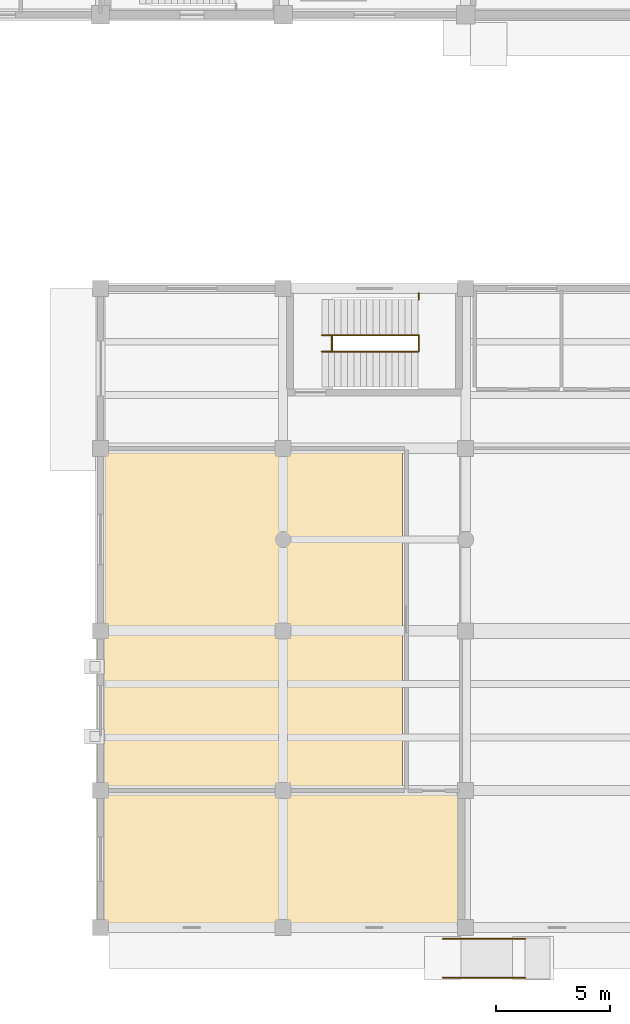
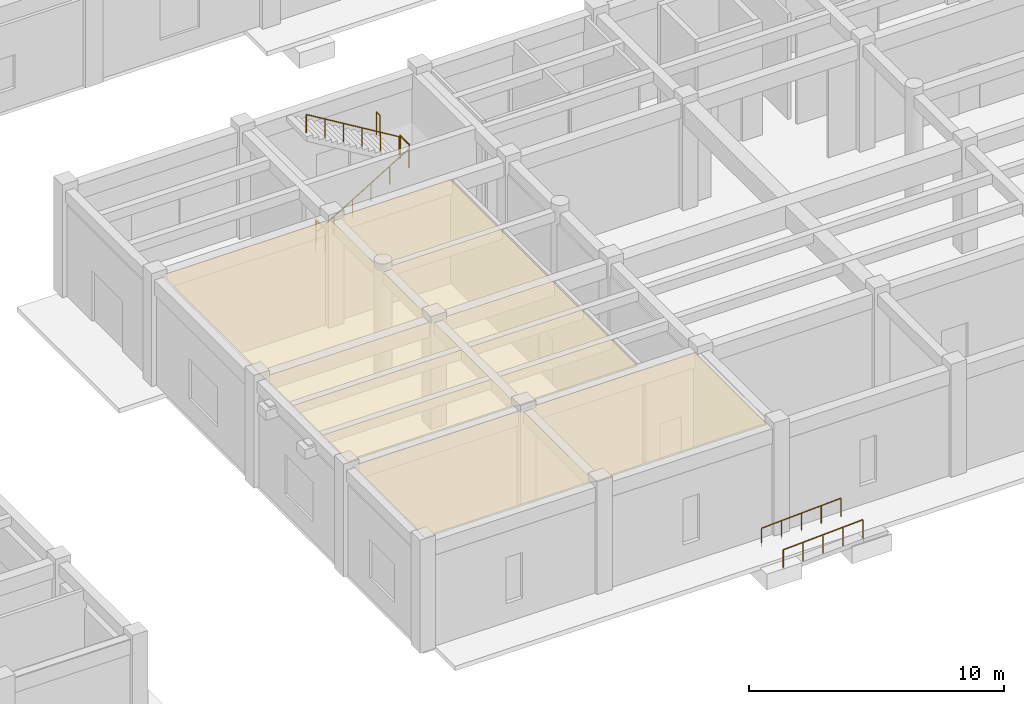
# One storey, part 36 of 40: 7 railings, 2 coverings.
"""IFC4 building model written with IfcOpenShell, lengths in metres."""

from ifc_helpers import new_model, si_unit, direction, frame, origin, origin_2d, place, context, subcontext, project, spatial, polyline, circle, outline, extrude, material, layer, layer_set, type_object, element, save


model = new_model("IFC4")

# Units and contexts
model_context = context("Model", 3, precision=1e-05, world=origin(), true_north=direction((0.0, 1.0)))
body_context = subcontext(model_context, "Body", "Model", "MODEL_VIEW")
ifc_project = project(units=[si_unit("LENGTHUNIT", "METRE"), si_unit("AREAUNIT", "SQUARE_METRE"), si_unit("VOLUMEUNIT", "CUBIC_METRE"), si_unit("PLANEANGLEUNIT", "RADIAN"), si_unit("MASSUNIT", "GRAM", prefix="KILO")], contexts=[model_context])

# Site, building, storey
site_placement = place(None, origin())
site = spatial("IfcSite", under=ifc_project, at=site_placement, CompositionType="ELEMENT")
building_placement = place(site_placement, origin())
building = spatial("IfcBuilding", under=site, at=building_placement, Name="Naurynzar Civic Courthouse", CompositionType="ELEMENT")
storey_placement = place(building_placement, origin())
storey = spatial("IfcBuildingStorey", under=building, at=storey_placement, Name="L01", CompositionType="ELEMENT", Elevation=0.0)

# Coverings
ifc_material_1 = material(Name="Mineral Fibre Acoustic Ceiling")
ifc_layer = layer(ifc_material_1, 0.030029296875)
ifc_layer_set = layer_set([ifc_layer], Name="CEIL-MINERAL-30")
covering_type = type_object("IfcCoveringType", Name="CEIL-MINERAL-30", PredefinedType="CEILING", material=ifc_layer_set)
covering_1_placement = place(storey_placement, frame((0.0, 0.0, 5.014892578125)))
element("IfcCovering", 1, at=covering_1_placement, inside=storey, type_object=covering_type, Name="Acoustic suspended ceiling Judicial Training Lecture Hall", PredefinedType="CEILING", context=body_context, shape_type="SweptSolid", body=[
    extrude(outline(polyline([(82.239990234375, 10.159912109375), (69.159912109375, 10.159912109375), (69.159912109375, 24.840087890625), (82.239990234375, 24.840087890625), (82.239990234375, 10.159912109375)])), origin(), (0.0, 0.0, 1.0), 0.030029296875),
])
covering_2_placement = place(storey_placement, frame((0.0, 0.0, 5.014892578125)))
element("IfcCovering", 2, at=covering_2_placement, inside=storey, type_object=covering_type, Name="Acoustic suspended ceiling Law Library Circulation Desk", PredefinedType="CEILING", context=body_context, shape_type="SweptSolid", body=[
    extrude(outline(polyline([(84.639892578125, 4.159912109375), (69.159912109375, 4.159912109375), (69.159912109375, 9.840087890625), (84.639892578125, 9.840087890625), (84.639892578125, 4.159912109375)])), origin(), (0.0, 0.0, 1.0), 0.030029296875),
])

# Railings
ifc_material_2 = material(Name="Brushed Stainless Steel 304", Category="steel")
railing_type_1 = type_object("IfcRailingType", Name="RAIL-BAL-1100", PredefinedType="BALUSTRADE", material=ifc_material_2)
for number, where, name in (
    (3, (79.139892578125, 29.239990234375, 0.0), "Stair ST-V3A floor well slot guard L01"),
    (4, (82.93994140625, 29.239990234375, 2.699951171875), "Stair ST-V3A-L01 half-landing well guard"),
):
    element("IfcRailing", number, at=place(storey_placement, frame(where)), inside=storey, type_object=railing_type_1, Name=name, PredefinedType="BALUSTRADE", context=body_context, shape_type="SweptSolid", body=[
        extrude(circle(Radius=0.02392578125, at=origin_2d()), frame((0.0, 0.0, 1.09619140625), z_axis=(0.0, 1.0, 0.0), x_axis=(-1.0, 0.0, 0.0)), (0.0, 0.0, 1.0), 0.719970703125),
        extrude(circle(Radius=0.02099609375, at=origin_2d()), origin(), (0.0, 0.0, 1.0), 1.072021484375),
        extrude(circle(Radius=0.02099609375, at=origin_2d()), frame((0.0, 0.719970703125, 0.0)), (0.0, 0.0, 1.0), 1.072021484375),
    ])
railing_1_placement = place(storey_placement, frame((82.93994140625, 31.52001953125, 2.699951171875)))
element("IfcRailing", 5, at=railing_1_placement, inside=storey, type_object=railing_type_1, Name="Stair ST-V3A-L01 half-landing north slot guard", PredefinedType="BALUSTRADE", context=body_context, shape_type="SweptSolid", body=[
    extrude(circle(Radius=0.02392578125, at=origin_2d()), frame((0.0, 0.0, 1.09619140625), z_axis=(0.0, 1.0, 0.0), x_axis=(-1.0, 0.0, 0.0)), (0.0, 0.0, 1.0), 0.284912109375),
    extrude(circle(Radius=0.02099609375, at=origin_2d()), origin(), (0.0, 0.0, 1.0), 1.072021484375),
    extrude(circle(Radius=0.02099609375, at=origin_2d()), frame((0.0, 0.284912109375, 0.0)), (0.0, 0.0, 1.0), 1.072021484375),
])
ifc_material_3 = material(Name="Brushed Stainless Steel 304", Category="steel")
railing_type_2 = type_object("IfcRailingType", Name="RAIL-HR-900", PredefinedType="HANDRAIL", material=ifc_material_3)
for number, where, name in (
    (6, (84.0, 1.800048828125, -0.179931640625), "Accessible ramp handrail RMP-05.1"),
    (7, (84.0, 3.5, -0.179931640625), "Accessible ramp handrail RMP-05.2"),
):
    element("IfcRailing", number, at=place(storey_placement, frame(where)), inside=storey, type_object=railing_type_2, Name=name, PredefinedType="HANDRAIL", context=body_context, shape_type="SweptSolid", body=[
        extrude(circle(Radius=0.02392578125, at=origin_2d()), frame((0.0, 0.0, 0.8759765625), z_axis=(0.998753352096, 0.0, 0.049917348467), x_axis=(0.0, 1.0, 0.0)), (0.0, 0.0, 1.0), 3.6044921875),
        extrude(circle(Radius=0.02099609375, at=origin_2d()), origin(), (0.0, 0.0, 1.0), 0.851806640625),
        extrude(circle(Radius=0.02099609375, at=origin_2d()), frame((0.89990234375, 0.0, 0.044921875)), (0.0, 0.0, 1.0), 0.851806640625),
        extrude(circle(Radius=0.02099609375, at=origin_2d()), frame((1.800048828125, 0.0, 0.08984375)), (0.0, 0.0, 1.0), 0.851806640625),
        extrude(circle(Radius=0.02099609375, at=origin_2d()), frame((2.7001953125, 0.0, 0.135009765625)), (0.0, 0.0, 1.0), 0.851806640625),
        extrude(circle(Radius=0.02099609375, at=origin_2d()), frame((3.60009765625, 0.0, 0.179931640625)), (0.0, 0.0, 1.0), 0.851806640625),
    ])
railing_2_placement = place(storey_placement, frame((78.699951171875, 29.239990234375, 0.168701171875)))
element("IfcRailing", 8, at=railing_2_placement, inside=storey, type_object=railing_type_2, Name="Stair ST-V3A-L01 flight 1 handrail", PredefinedType="HANDRAIL", context=body_context, shape_type="SweptSolid", body=[
    extrude(circle(Radius=0.02392578125, at=origin_2d()), frame((0.0, 0.0, 0.8759765625), z_axis=(0.856476492594, 0.0, 0.516186030065), x_axis=(0.0, 1.0, 0.0)), (0.0, 0.0, 1.0), 4.90380859375),
    extrude(circle(Radius=0.02099609375, at=origin_2d()), origin(), (0.0, 0.0, 1.0), 0.851806640625),
    extrude(circle(Radius=0.02099609375, at=origin_2d()), frame((0.840087890625, 0.0, 0.50634765625)), (0.0, 0.0, 1.0), 0.851806640625),
    extrude(circle(Radius=0.02099609375, at=origin_2d()), frame((1.679931640625, 0.0, 1.012451171875)), (0.0, 0.0, 1.0), 0.851806640625),
    extrude(circle(Radius=0.02099609375, at=origin_2d()), frame((2.52001953125, 0.0, 1.518798828125)), (0.0, 0.0, 1.0), 0.851806640625),
    extrude(circle(Radius=0.02099609375, at=origin_2d()), frame((3.35986328125, 0.0, 2.02490234375)), (0.0, 0.0, 1.0), 0.851806640625),
    extrude(circle(Radius=0.02099609375, at=origin_2d()), frame((4.199951171875, 0.0, 2.53125)), (0.0, 0.0, 1.0), 0.851806640625),
])
railing_3_placement = place(storey_placement, frame((82.89990234375, 29.9599609375, 2.868896484375)))
element("IfcRailing", 9, at=railing_3_placement, inside=storey, type_object=railing_type_2, Name="Stair ST-V3A-L01 flight 2 handrail", PredefinedType="HANDRAIL", context=body_context, shape_type="SweptSolid", body=[
    extrude(circle(Radius=0.02392578125, at=origin_2d()), frame((0.0, 0.0, 0.8759765625), z_axis=(-0.856498503035, 0.0, 0.5161495077), x_axis=(0.0, -1.0, 0.0)), (0.0, 0.0, 1.0), 4.903564453125),
    extrude(circle(Radius=0.02099609375, at=origin_2d()), origin(), (0.0, 0.0, 1.0), 0.851806640625),
    extrude(circle(Radius=0.02099609375, at=origin_2d()), frame((-0.840087890625, 0.0, 0.506103515625)), (0.0, 0.0, 1.0), 0.851806640625),
    extrude(circle(Radius=0.02099609375, at=origin_2d()), frame((-1.679931640625, 0.0, 1.012451171875)), (0.0, 0.0, 1.0), 0.851806640625),
    extrude(circle(Radius=0.02099609375, at=origin_2d()), frame((-2.52001953125, 0.0, 1.5185546875)), (0.0, 0.0, 1.0), 0.851806640625),
    extrude(circle(Radius=0.02099609375, at=origin_2d()), frame((-3.35986328125, 0.0, 2.02490234375)), (0.0, 0.0, 1.0), 0.851806640625),
    extrude(circle(Radius=0.02099609375, at=origin_2d()), frame((-4.199951171875, 0.0, 2.531005859375)), (0.0, 0.0, 1.0), 0.851806640625),
])

save(model, "model.ifc")
